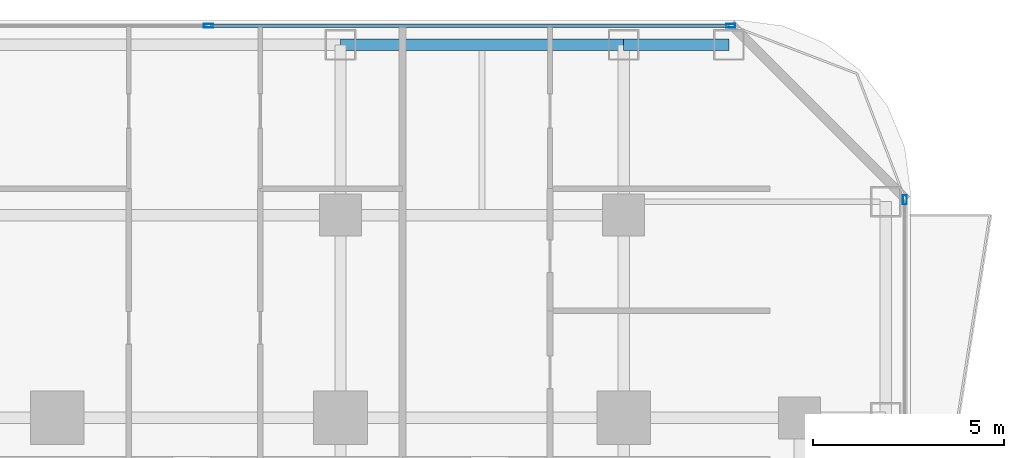
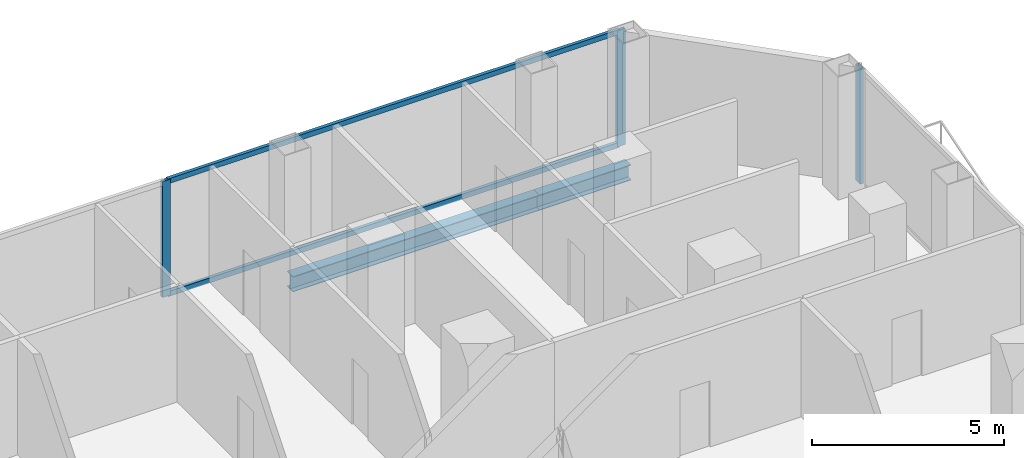
# One storey, part 17 of 29: 5 members, 2 beams, 2 elements without a shape of their own.
"""IFC4 building model written with IfcOpenShell, lengths in metres."""

from ifc_helpers import new_model, si_unit, direction, frame, origin, origin_2d, place, context, subcontext, project, spatial, hollow_rectangle, i_section, extrude, material, layer, layer_set, material_profile, profile_set, type_object, element, aggregate, save


model = new_model("IFC4")

# Units and contexts
model_context = context("Model", 3, precision=1e-05, world=origin(), true_north=direction((0.0, 1.0)))
body_context = subcontext(model_context, "Body", "Model", "MODEL_VIEW")
ifc_project = project(units=[si_unit("LENGTHUNIT", "METRE"), si_unit("AREAUNIT", "SQUARE_METRE"), si_unit("VOLUMEUNIT", "CUBIC_METRE"), si_unit("PLANEANGLEUNIT", "RADIAN"), si_unit("MASSUNIT", "GRAM", prefix="KILO")], contexts=[model_context])

# Site, building, storey
site_placement = place(None, origin())
site = spatial("IfcSite", under=ifc_project, at=site_placement, CompositionType="ELEMENT")
building_placement = place(site_placement, origin())
building = spatial("IfcBuilding", under=site, at=building_placement, Name="Khorvyn Point Tower", CompositionType="ELEMENT")
storey_placement = place(building_placement, frame((0.0, 0.0, 69.60009765625)))
storey = spatial("IfcBuildingStorey", under=building, at=storey_placement, Name="L18", CompositionType="ELEMENT", Elevation=69.60009765625)

# Curtain wall, members
ifc_material_1 = material(Name="Anodised aluminium 6063-T6 and laminated Low-E glass", Category="aluminium")
ifc_layer = layer(ifc_material_1, 0.18994140625)
ifc_layer_set = layer_set([ifc_layer], Name="Stick-Built Finned Residential Curtain Wall CW-SYS-02")
curtain_wall_type = type_object("IfcCurtainWallType", Name="Stick-Built Finned Residential Curtain Wall CW-SYS-02", PredefinedType="NOTDEFINED", material=ifc_layer_set)
curtain_wall_1_placement = place(storey_placement, origin())
curtain_wall_1 = element("IfcCurtainWall", 1, at=curtain_wall_1_placement, inside=storey, type_object=curtain_wall_type, Name="Curtain Wall", PredefinedType="NOTDEFINED")
ifc_material_2 = material(Name="Anodised aluminium 6063-T6", Category="aluminium")
ifc_material_profile_1 = material_profile(ifc_material_2, hollow_rectangle(XDim=0.10009765625, YDim=0.239990234375, WallThickness=0.0048828125, at=origin_2d()))
ifc_profile_set_1 = profile_set([ifc_material_profile_1], Name="Anodised aluminium 6063-T6 ALU-MUL-100x240")
member_type_1 = type_object("IfcMemberType", Name="Anodised Aluminium 6063-T6 Mullion ALU-MUL-100x240", PredefinedType="MULLION", material=ifc_profile_set_1)
member_1_placement = place(storey_placement, frame((3.949951171875, 25.050048828125, 0.0), z_axis=(0.0, 0.0, 1.0), x_axis=(0.0, 1.0, 0.0)))
member_1 = element("IfcMember", 2, at=member_1_placement, type_object=member_type_1, Name="Transom", PredefinedType="MULLION", context=body_context, shape_type="SweptSolid", body=[
    extrude(hollow_rectangle(XDim=0.10009765625, YDim=0.239990234375, WallThickness=0.0048828125, at=origin_2d()), origin(), (0.0, 0.0, 1.0), 3.679931640625),
])
member_2_placement = place(storey_placement, frame((17.60009765625, 25.050048828125, 0.0), z_axis=(0.0, 0.0, 1.0), x_axis=(0.0, 1.0, 0.0)))
member_2 = element("IfcMember", 3, at=member_2_placement, type_object=member_type_1, Name="Transom", PredefinedType="MULLION", context=body_context, shape_type="SweptSolid", body=[
    extrude(hollow_rectangle(XDim=0.10009765625, YDim=0.239990234375, WallThickness=0.0048828125, at=origin_2d()), origin(), (0.0, 0.0, 1.0), 3.679931640625),
])

# Curtain wall, member
curtain_wall_2_placement = place(storey_placement, origin())
curtain_wall_2 = element("IfcCurtainWall", 4, at=curtain_wall_2_placement, inside=storey, type_object=curtain_wall_type, Name="Curtain Wall", PredefinedType="NOTDEFINED")
member_3_placement = place(storey_placement, frame((22.14990234375, 20.5, 0.0), z_axis=(0.0, 0.0, 1.0), x_axis=(1.0, 0.0, 0.0)))
member_3 = element("IfcMember", 5, at=member_3_placement, type_object=member_type_1, Name="Transom", PredefinedType="MULLION", context=body_context, shape_type="SweptSolid", body=[
    extrude(hollow_rectangle(XDim=0.10009765625, YDim=0.239990234375, WallThickness=0.0048828125, at=origin_2d()), origin(), (0.0, 0.0, 1.0), 3.679931640625),
])
aggregate(curtain_wall_2, [member_3])

# Member
ifc_material_profile_2 = material_profile(ifc_material_2, hollow_rectangle(XDim=0.10009765625, YDim=0.159912109375, WallThickness=0.00439453125, at=origin_2d()))
ifc_profile_set_2 = profile_set([ifc_material_profile_2], Name="Anodised aluminium 6063-T6 ALU-TRN-100x160")
member_type_2 = type_object("IfcMemberType", Name="Anodised Aluminium 6063-T6 Transom ALU-TRN-100x160", PredefinedType="USERDEFINED", material=ifc_profile_set_2)
member_4_placement = place(storey_placement, frame((4.0, 25.050048828125, 0.0498046875), z_axis=(1.0, 0.0, 0.0), x_axis=(0.0, 1.0, 0.0)))
member_4 = element("IfcMember", 6, at=member_4_placement, type_object=member_type_2, Name="Transom", ObjectType="TRANSOM", PredefinedType="USERDEFINED", context=body_context, shape_type="SweptSolid", body=[
    extrude(hollow_rectangle(XDim=0.10009765625, YDim=0.159912109375, WallThickness=0.00439453125, at=origin_2d()), origin(), (0.0, 0.0, 1.0), 13.550048828125),
])

member_5_placement = place(storey_placement, frame((4.0, 25.050048828125, 3.6298828125), z_axis=(1.0, 0.0, 0.0), x_axis=(0.0, 1.0, 0.0)))
member_5 = element("IfcMember", 7, at=member_5_placement, type_object=member_type_2, Name="Transom", ObjectType="TRANSOM", PredefinedType="USERDEFINED", context=body_context, shape_type="SweptSolid", body=[
    extrude(hollow_rectangle(XDim=0.10009765625, YDim=0.159912109375, WallThickness=0.00439453125, at=origin_2d()), origin(), (0.0, 0.0, 1.0), 13.550048828125),
])

aggregate(curtain_wall_1, [member_1, member_2, member_4, member_5])

# Beams
ifc_material_3 = material(Name="Steel S355", Category="steel")
ifc_material_profile_3 = material_profile(ifc_material_3, i_section(OverallWidth=0.300048828125, OverallDepth=0.488037109375, WebThickness=0.010986328125, FlangeThickness=0.01806640625, at=origin_2d()))
ifc_profile_set_3 = profile_set([ifc_material_profile_3], Name="Steel S355 H488x300x11x18")
beam_type = type_object("IfcBeamType", Name="Steel S355 Spandrel H488x300x11x18", PredefinedType="SPANDREL", material=ifc_profile_set_3)
beam_1_placement = place(storey_placement, frame((7.39990234375, 24.550048828125, -0.464111328125), z_axis=(1.0, 0.0, 0.0), x_axis=(0.0, 1.0, 0.0)))
element("IfcBeam", 8, at=beam_1_placement, inside=storey, type_object=beam_type, Name="Beam", PredefinedType="SPANDREL", context=body_context, shape_type="SweptSolid", body=[
    extrude(i_section(OverallWidth=0.300048828125, OverallDepth=0.488037109375, WebThickness=0.010986328125, FlangeThickness=0.01806640625, at=origin_2d()), origin(), (0.0, 0.0, 1.0), 7.400146484375),
])
beam_2_placement = place(storey_placement, frame((14.800048828125, 24.550048828125, -0.464111328125), z_axis=(1.0, 0.0, 0.0), x_axis=(0.0, 1.0, 0.0)))
element("IfcBeam", 9, at=beam_2_placement, inside=storey, type_object=beam_type, Name="Beam", PredefinedType="SPANDREL", context=body_context, shape_type="SweptSolid", body=[
    extrude(i_section(OverallWidth=0.300048828125, OverallDepth=0.488037109375, WebThickness=0.010986328125, FlangeThickness=0.01806640625, at=origin_2d()), origin(), (0.0, 0.0, 1.0), 2.75),
])

save(model, "model.ifc")
